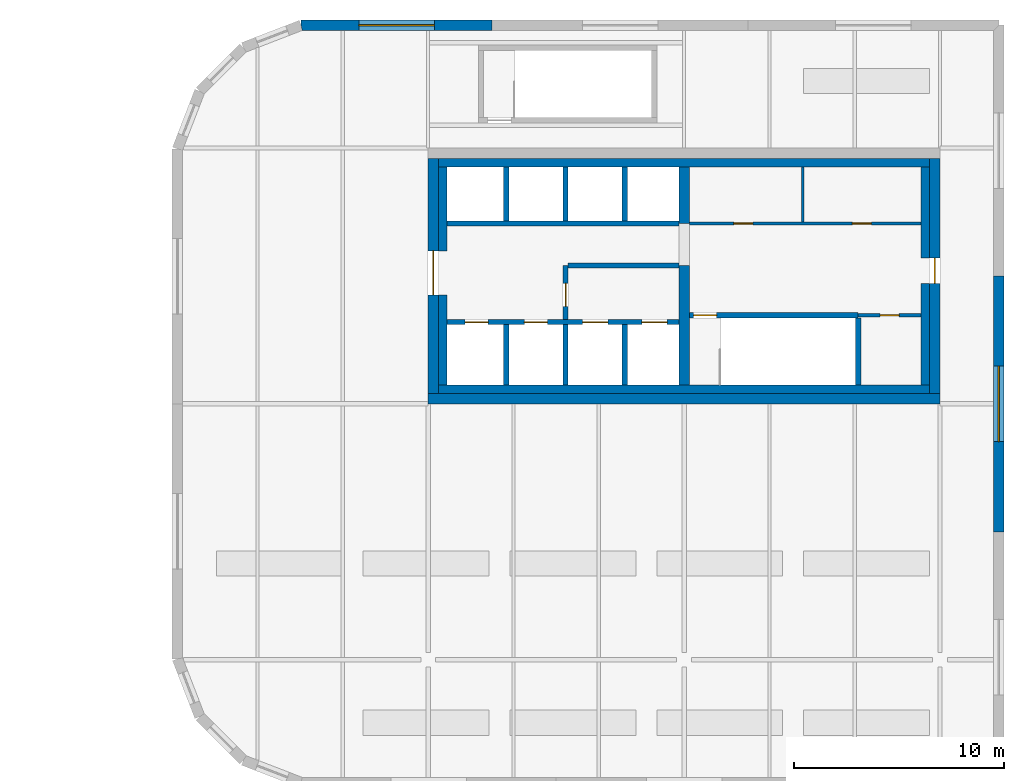
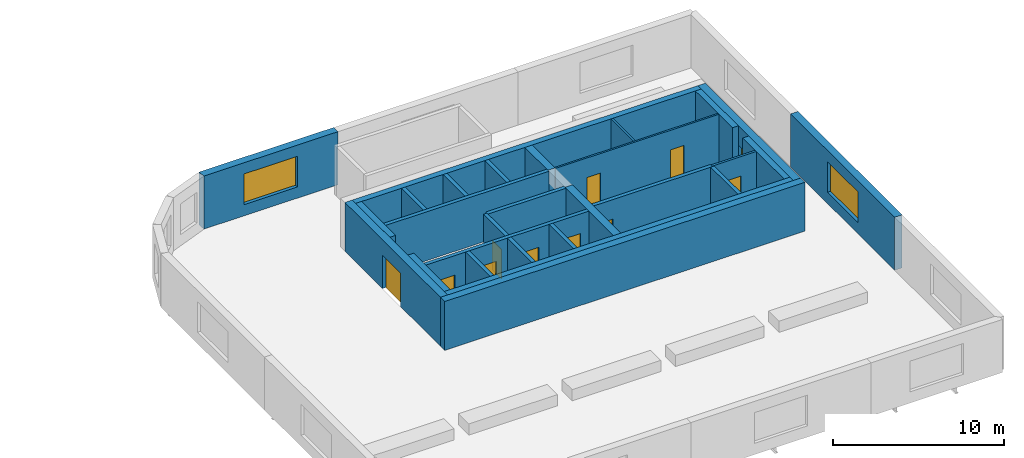
# One storey, part 12 of 17: 28 walls, 11 doors, 2 windows, 13 openings.
"""IFC4 building model written with IfcOpenShell, lengths in metres."""

from ifc_helpers import new_model, si_unit, direction, frame, frame_2d, origin, place, context, subcontext, project, spatial, polyline, rectangle, outline, extrude, faceted_brep, source, transform, mapped, material, layer, layer_set, type_object, element, fill, save


model = new_model("IFC4")

# Units and contexts
model_context = context("Model", 3, precision=1e-05, world=origin(), true_north=direction((0.0, 1.0)))
body_context = subcontext(model_context, "Body", "Model", "MODEL_VIEW")
ifc_project = project(units=[si_unit("LENGTHUNIT", "METRE"), si_unit("AREAUNIT", "SQUARE_METRE"), si_unit("VOLUMEUNIT", "CUBIC_METRE"), si_unit("PLANEANGLEUNIT", "RADIAN"), si_unit("MASSUNIT", "GRAM", prefix="KILO")], contexts=[model_context])

# Site, building, storey
site_placement = place(None, origin())
site = spatial("IfcSite", under=ifc_project, at=site_placement, CompositionType="ELEMENT")
building_placement = place(site_placement, origin())
building = spatial("IfcBuilding", under=site, at=building_placement, Name="Tessera Gate Towers", CompositionType="ELEMENT")
storey_placement = place(building_placement, frame((0.0, 0.0, 112.60009765625)))
storey = spatial("IfcBuildingStorey", under=building, at=storey_placement, Name="L27", CompositionType="ELEMENT", Elevation=112.60009765625)

# Wall, openings, doors
ifc_material_1 = material(Name="Concrete C40/50", Category="concrete")
ifc_layer_1 = layer(ifc_material_1, 0.25)
ifc_layer_set_1 = layer_set([ifc_layer_1], Name="CORE ENCLOSURE WALL 250")
wall_type_1 = type_object("IfcWallType", Name="CORE ENCLOSURE WALL 250", PredefinedType="SOLIDWALL", material=ifc_layer_set_1)
wall_1_placement = place(storey_placement, frame((98.5, 40.5, 0.0), z_axis=(0.0, 0.0, 1.0), x_axis=(1.0, 0.0, 0.0)))
wall_1 = element("IfcWall", 1, at=wall_1_placement, inside=storey, type_object=wall_type_1, Name="L27 shaft and stair enclosure wall", PredefinedType="SOLIDWALL", context=body_context, shape_type="SweptSolid", body=[
    extrude(rectangle(XDim=11.050048828125, YDim=0.25, at=frame_2d((5.52490234375, 0.0))), origin(), (0.0, 0.0, 1.0), 3.5),
])
shared_shape_1 = source(origin(), body_context, "Body", "SweptSolid", [
    extrude(rectangle(XDim=1.10009765625, YDim=2.10009765625, at=frame_2d((0.550048828125, 1.050048828125))), frame((0.0, 0.135009765625, 0.0), z_axis=(0.0, -1.0, 0.0), x_axis=(1.0, 0.0, 0.0)), (0.0, 0.0, 1.0), 0.27001953125),
])
opening_1_placement = place(wall_1_placement, frame((0.862548828125, 0.0, 0.0)))
opening_1 = element("IfcOpeningElement", 2, at=opening_1_placement, cuts=wall_1, Name="Opening LD-TL1", PredefinedType="OPENING", context=body_context, shape_type="MappedRepresentation", body=[
    mapped(shared_shape_1, transform((0.0, 0.0, 0.0), scale=1.0)),
])
opening_2_placement = place(wall_1_placement, frame((3.6875, 0.0, 0.0)))
opening_2 = element("IfcOpeningElement", 3, at=opening_2_placement, cuts=wall_1, Name="Opening LD-TL2", PredefinedType="OPENING", context=body_context, shape_type="MappedRepresentation", body=[
    mapped(shared_shape_1, transform((0.0, 0.0, 0.0), scale=1.0)),
])
shared_shape_2 = source(origin(), body_context, "Body", "SweptSolid", [
    extrude(rectangle(XDim=1.199951171875, YDim=2.10009765625, at=frame_2d((0.60009765625, 1.050048828125))), frame((0.0, 0.135009765625, 0.0), z_axis=(0.0, -1.0, 0.0), x_axis=(1.0, 0.0, 0.0)), (0.0, 0.0, 1.0), 0.27001953125),
])
opening_3_placement = place(wall_1_placement, frame((6.46240234375, 0.0, 0.0)))
opening_3 = element("IfcOpeningElement", 4, at=opening_3_placement, cuts=wall_1, Name="Opening LD-FF3", PredefinedType="OPENING", context=body_context, shape_type="MappedRepresentation", body=[
    mapped(shared_shape_2, transform((0.0, 0.0, 0.0), scale=1.0)),
])
opening_4_placement = place(wall_1_placement, frame((9.28759765625, 0.0, 0.0)))
opening_4 = element("IfcOpeningElement", 5, at=opening_4_placement, cuts=wall_1, Name="Opening LD-FF4", PredefinedType="OPENING", context=body_context, shape_type="MappedRepresentation", body=[
    mapped(shared_shape_2, transform((0.0, 0.0, 0.0), scale=1.0)),
])
ifc_material_2 = material(Name="Stainless steel", Category="steel")
door_type_1 = type_object("IfcDoorType", Name="CORE DOOR LD1200 1200x2100", OperationType="DOUBLE_DOOR_SLIDING", PredefinedType="DOOR", material=ifc_material_2)
shared_shape_3 = source(origin(), body_context, "Body", "SweptSolid", [
    extrude(rectangle(XDim=1.199951171875, YDim=2.10009765625, at=frame_2d((0.60009765625, 1.050048828125))), frame((0.0, 0.02490234375, 0.0), z_axis=(0.0, -1.0, 0.0), x_axis=(1.0, 0.0, 0.0)), (0.0, 0.0, 1.0), 0.050048828125),
])
door_1_placement = place(opening_3_placement, origin())
door_1 = element("IfcDoor", 6, at=door_1_placement, inside=storey, type_object=door_type_1, Name="Landing door FF3 L27", OperationType="DOUBLE_DOOR_SLIDING", OverallHeight=2.10009765625, OverallWidth=1.199951171875, PredefinedType="DOOR", context=body_context, shape_type="MappedRepresentation", body=[
    mapped(shared_shape_3, transform((0.0, 0.0, 0.0), scale=1.0)),
])
fill(opening_3, door_1)
door_2_placement = place(opening_4_placement, origin())
door_2 = element("IfcDoor", 7, at=door_2_placement, inside=storey, type_object=door_type_1, Name="Landing door FF4 L27", OperationType="DOUBLE_DOOR_SLIDING", OverallHeight=2.10009765625, OverallWidth=1.199951171875, PredefinedType="DOOR", context=body_context, shape_type="MappedRepresentation", body=[
    mapped(shared_shape_3, transform((0.0, 0.0, 0.0), scale=1.0)),
])
fill(opening_4, door_2)
ifc_material_3 = material(Name="Stainless steel", Category="steel")
door_type_2 = type_object("IfcDoorType", Name="CORE DOOR LD 1100x2100", OperationType="DOUBLE_DOOR_SLIDING", PredefinedType="DOOR", material=ifc_material_3)
shared_shape_4 = source(origin(), body_context, "Body", "SweptSolid", [
    extrude(rectangle(XDim=1.10009765625, YDim=2.10009765625, at=frame_2d((0.550048828125, 1.050048828125))), frame((0.0, 0.02490234375, 0.0), z_axis=(0.0, -1.0, 0.0), x_axis=(1.0, 0.0, 0.0)), (0.0, 0.0, 1.0), 0.050048828125),
])
door_3_placement = place(opening_1_placement, origin())
door_3 = element("IfcDoor", 8, at=door_3_placement, inside=storey, type_object=door_type_2, Name="Landing door TL1 L27", OperationType="DOUBLE_DOOR_SLIDING", OverallHeight=2.10009765625, OverallWidth=1.10009765625, PredefinedType="DOOR", context=body_context, shape_type="MappedRepresentation", body=[
    mapped(shared_shape_4, transform((0.0, 0.0, 0.0), scale=1.0)),
])
fill(opening_1, door_3)
door_4_placement = place(opening_2_placement, origin())
door_4 = element("IfcDoor", 9, at=door_4_placement, inside=storey, type_object=door_type_2, Name="Landing door TL2 L27", OperationType="DOUBLE_DOOR_SLIDING", OverallHeight=2.10009765625, OverallWidth=1.10009765625, PredefinedType="DOOR", context=body_context, shape_type="MappedRepresentation", body=[
    mapped(shared_shape_4, transform((0.0, 0.0, 0.0), scale=1.0)),
])
fill(opening_2, door_4)

# Wall
wall_2_placement = place(storey_placement, frame((98.5, 45.199951171875, 0.0), z_axis=(0.0, 0.0, 1.0), x_axis=(1.0, 0.0, 0.0)))
element("IfcWall", 10, at=wall_2_placement, inside=storey, type_object=wall_type_1, Name="L27 shaft and stair enclosure wall", PredefinedType="SOLIDWALL", context=body_context, shape_type="SweptSolid", body=[
    extrude(rectangle(XDim=11.050048828125, YDim=0.25, at=frame_2d((5.52490234375, 0.0))), origin(), (0.0, 0.0, 1.0), 3.5),
])

# Wall, opening, door
wall_3_placement = place(storey_placement, frame((118.10009765625, 40.824951171875, 0.0), z_axis=(0.0, 0.0, 1.0), x_axis=(-1.0, 0.0, 0.0)))
wall_3 = element("IfcWall", 11, at=wall_3_placement, inside=storey, type_object=wall_type_1, Name="L27 shaft and stair enclosure wall", PredefinedType="SOLIDWALL", context=body_context, shape_type="SweptSolid", body=[
    extrude(rectangle(XDim=8.050048828125, YDim=0.25, at=frame_2d((4.02490234375, 0.0))), origin(), (0.0, 0.0, 1.0), 3.5),
])
opening_5_placement = place(wall_3_placement, frame((6.75, 0.0, 0.0)))
opening_5 = element("IfcOpeningElement", 12, at=opening_5_placement, cuts=wall_3, Name="Opening SD-ST6-1", PredefinedType="OPENING", context=body_context, shape_type="MappedRepresentation", body=[
    mapped(shared_shape_1, transform((0.0, 0.0, 0.0), scale=1.0)),
])
ifc_material_4 = material(Name="Hollow steel fire door", Category="steel")
door_type_3 = type_object("IfcDoorType", Name="CORE DOOR SD1100 1100x2100", OperationType="NOTDEFINED", PredefinedType="DOOR", material=ifc_material_4)
door_5_placement = place(opening_5_placement, origin())
door_5 = element("IfcDoor", 13, at=door_5_placement, inside=storey, type_object=door_type_3, Name="Stair door", OperationType="SINGLE_SWING_RIGHT", OverallHeight=2.10009765625, OverallWidth=1.10009765625, PredefinedType="DOOR", context=body_context, shape_type="MappedRepresentation", body=[
    mapped(shared_shape_4, transform((0.0, 0.0, 0.0), scale=1.0)),
])
fill(opening_5, door_5)

# Wall
wall_4_placement = place(storey_placement, frame((104.14990234375, 37.5, 0.0), z_axis=(0.0, 0.0, 1.0), x_axis=(0.0, 1.0, 0.0)))
element("IfcWall", 14, at=wall_4_placement, inside=storey, type_object=wall_type_1, Name="L27 shaft and stair enclosure wall", PredefinedType="SOLIDWALL", context=body_context, shape_type="SweptSolid", body=[
    extrude(rectangle(XDim=2.875, YDim=0.25, at=frame_2d((1.4375, 0.0))), origin(), (0.0, 0.0, 1.0), 3.5),
])

# Wall, opening, door
wall_5_placement = place(storey_placement, frame((104.14990234375, 43.199951171875, 0.0), z_axis=(0.0, 0.0, 1.0), x_axis=(0.0, -1.0, 0.0)))
wall_5 = element("IfcWall", 15, at=wall_5_placement, inside=storey, type_object=wall_type_1, Name="L27 shaft and stair enclosure wall", PredefinedType="SOLIDWALL", context=body_context, shape_type="SweptSolid", body=[
    extrude(rectangle(XDim=2.574951171875, YDim=0.25, at=frame_2d((1.28759765625, 0.0))), origin(), (0.0, 0.0, 1.0), 3.5),
])
opening_6_placement = place(wall_5_placement, frame((0.85009765625, 0.0, 0.0)))
opening_6 = element("IfcOpeningElement", 16, at=opening_6_placement, cuts=wall_5, Name="Opening FD-T2-14-03", PredefinedType="OPENING", context=body_context, shape_type="MappedRepresentation", body=[
    mapped(shared_shape_1, transform((0.0, 0.0, 0.0), scale=1.0)),
])
ifc_material_5 = material(Name="Hollow steel fire door", Category="steel")
door_type_4 = type_object("IfcDoorType", Name="CORE DOOR FD 1100x2100", OperationType="NOTDEFINED", PredefinedType="DOOR", material=ifc_material_5)
door_6_placement = place(opening_6_placement, origin())
door_6 = element("IfcDoor", 17, at=door_6_placement, inside=storey, type_object=door_type_4, Name="Fire-fighting lobby door", OperationType="SINGLE_SWING_RIGHT", OverallHeight=2.10009765625, OverallWidth=1.10009765625, PredefinedType="DOOR", context=body_context, shape_type="MappedRepresentation", body=[
    mapped(shared_shape_4, transform((0.0, 0.0, 0.0), scale=1.0)),
])
fill(opening_6, door_6)

# Walls
wall_6_placement = place(storey_placement, frame((104.27490234375, 43.199951171875, 0.0), z_axis=(0.0, 0.0, 1.0), x_axis=(1.0, 0.0, 0.0)))
element("IfcWall", 18, at=wall_6_placement, inside=storey, type_object=wall_type_1, Name="L27 shaft and stair enclosure wall", PredefinedType="SOLIDWALL", context=body_context, shape_type="SweptSolid", body=[
    extrude(rectangle(XDim=5.275146484375, YDim=0.25, at=frame_2d((2.6376953125, 0.0))), origin(), (0.0, 0.0, 1.0), 3.5),
])
wall_7_placement = place(storey_placement, frame((118.10009765625, 37.5, 0.0), z_axis=(0.0, 0.0, 1.0), x_axis=(0.0, 1.0, 0.0)))
element("IfcWall", 19, at=wall_7_placement, inside=storey, type_object=wall_type_1, Name="L27 shaft and stair enclosure wall", PredefinedType="SOLIDWALL", context=body_context, shape_type="SweptSolid", body=[
    extrude(rectangle(XDim=3.199951171875, YDim=0.25, at=frame_2d((1.60009765625, 0.0))), origin(), (0.0, 0.0, 1.0), 3.5),
])
for number, where, z_axis, x_axis, name in (
    (20, (101.324951171875, 37.5, 0.0), (0.0, 0.0, 1.0), (0.0, 1.0, 0.0), "L27 shaft and stair enclosure wall"),
    (21, (106.97509765625, 37.5, 0.0), (0.0, 0.0, 1.0), (0.0, 1.0, 0.0), "L27 shaft and stair enclosure wall"),
):
    element("IfcWall", number, at=place(storey_placement, frame(where, z_axis=z_axis, x_axis=x_axis)), inside=storey, type_object=wall_type_1, Name=name, PredefinedType="SOLIDWALL", context=body_context, shape_type="SweptSolid", body=[
        extrude(rectangle(XDim=2.875, YDim=0.25, at=frame_2d((1.4375, 0.0))), origin(), (0.0, 0.0, 1.0), 3.5),
    ])
for number, where, z_axis, x_axis, name in (
    (22, (101.324951171875, 45.324951171875, 0.0), (0.0, 0.0, 1.0), (0.0, 1.0, 0.0), "L27 shaft and stair enclosure wall"),
    (23, (104.14990234375, 45.324951171875, 0.0), (0.0, 0.0, 1.0), (0.0, 1.0, 0.0), "L27 shaft and stair enclosure wall"),
    (24, (106.97509765625, 45.324951171875, 0.0), (0.0, 0.0, 1.0), (0.0, 1.0, 0.0), "L27 shaft and stair enclosure wall"),
):
    element("IfcWall", number, at=place(storey_placement, frame(where, z_axis=z_axis, x_axis=x_axis)), inside=storey, type_object=wall_type_1, Name=name, PredefinedType="SOLIDWALL", context=body_context, shape_type="SweptSolid", body=[
        extrude(rectangle(XDim=2.574951171875, YDim=0.25, at=frame_2d((1.28759765625, 0.0))), origin(), (0.0, 0.0, 1.0), 3.5),
    ])

# Wall, openings, doors
ifc_material_6 = material(Name="Gypsum board on steel studs", Category="steel")
ifc_layer_2 = layer(ifc_material_6, 0.1201171875)
ifc_layer_set_2 = layer_set([ifc_layer_2], Name="CORE PARTITION 120")
wall_type_2 = type_object("IfcWallType", Name="CORE PARTITION 120", PredefinedType="PARTITIONING", material=ifc_layer_set_2)
wall_8_placement = place(storey_placement, frame((110.050048828125, 45.199951171875, 0.0), z_axis=(0.0, 0.0, 1.0), x_axis=(1.0, 0.0, 0.0)))
wall_8 = element("IfcWall", 25, at=wall_8_placement, inside=storey, type_object=wall_type_2, Name="L27 core partition", PredefinedType="PARTITIONING", context=body_context, shape_type="SweptSolid", body=[
    extrude(rectangle(XDim=11.050048828125, YDim=0.1201171875, at=frame_2d((5.52490234375, 0.0))), origin(), (0.0, 0.0, 1.0), 3.5),
])
shared_shape_5 = source(origin(), body_context, "Body", "SweptSolid", [
    extrude(rectangle(XDim=0.89990234375, YDim=2.10009765625, at=frame_2d((0.449951171875, 1.050048828125))), frame((0.0, 0.070068359375, 0.0), z_axis=(0.0, -1.0, 0.0), x_axis=(1.0, 0.0, 0.0)), (0.0, 0.0, 1.0), 0.14013671875),
])
opening_7_placement = place(wall_8_placement, frame((2.125, 0.0, 0.0)))
opening_7 = element("IfcOpeningElement", 26, at=opening_7_placement, cuts=wall_8, Name="Opening RD-T2-14-04", PredefinedType="OPENING", context=body_context, shape_type="MappedRepresentation", body=[
    mapped(shared_shape_5, transform((0.0, 0.0, 0.0), scale=1.0)),
])
opening_8_placement = place(wall_8_placement, frame((7.77490234375, 0.0, 0.0)))
opening_8 = element("IfcOpeningElement", 27, at=opening_8_placement, cuts=wall_8, Name="Opening RD-T2-14-05", PredefinedType="OPENING", context=body_context, shape_type="MappedRepresentation", body=[
    mapped(shared_shape_5, transform((0.0, 0.0, 0.0), scale=1.0)),
])
ifc_material_7 = material(Name="Hollow steel fire door", Category="steel")
door_type_5 = type_object("IfcDoorType", Name="CORE DOOR RD 900x2100", OperationType="NOTDEFINED", PredefinedType="DOOR", material=ifc_material_7)
shared_shape_6 = source(origin(), body_context, "Body", "SweptSolid", [
    extrude(rectangle(XDim=0.89990234375, YDim=2.10009765625, at=frame_2d((0.449951171875, 1.050048828125))), frame((0.0, 0.02490234375, 0.0), z_axis=(0.0, -1.0, 0.0), x_axis=(1.0, 0.0, 0.0)), (0.0, 0.0, 1.0), 0.050048828125),
])
door_7_placement = place(opening_7_placement, origin())
door_7 = element("IfcDoor", 28, at=door_7_placement, inside=storey, type_object=door_type_5, Name="Core room door", OperationType="SINGLE_SWING_LEFT", OverallHeight=2.10009765625, OverallWidth=0.89990234375, PredefinedType="DOOR", context=body_context, shape_type="MappedRepresentation", body=[
    mapped(shared_shape_6, transform((0.0, 0.0, 0.0), scale=1.0)),
])
fill(opening_7, door_7)
door_8_placement = place(opening_8_placement, origin())
door_8 = element("IfcDoor", 29, at=door_8_placement, inside=storey, type_object=door_type_5, Name="Core room door", OperationType="SINGLE_SWING_RIGHT", OverallHeight=2.10009765625, OverallWidth=0.89990234375, PredefinedType="DOOR", context=body_context, shape_type="MappedRepresentation", body=[
    mapped(shared_shape_6, transform((0.0, 0.0, 0.0), scale=1.0)),
])
fill(opening_8, door_8)

# Walls
wall_9_placement = place(storey_placement, frame((115.449951171875, 45.260009765625, 0.0), z_axis=(0.0, 0.0, 1.0), x_axis=(0.0, 1.0, 0.0)))
element("IfcWall", 30, at=wall_9_placement, inside=storey, type_object=wall_type_2, Name="L27 core partition", PredefinedType="PARTITIONING", context=body_context, shape_type="SweptSolid", body=[
    extrude(rectangle(XDim=2.639892578125, YDim=0.1201171875, at=frame_2d((1.31982421875, 0.0))), origin(), (0.0, 0.0, 1.0), 3.5),
])
ifc_material_8 = material(Name="Concrete C50/60", Category="concrete")
ifc_layer_3 = layer(ifc_material_8, 0.5)
ifc_layer_set_3 = layer_set([ifc_layer_3], Name="CORE SHEAR WALL 500 C50/60")
wall_type_3 = type_object("IfcWallType", Name="CORE SHEAR WALL 500 C50/60", PredefinedType="SHEAR", material=ifc_layer_set_3)
wall_10_placement = place(storey_placement, frame((122.0, 36.85009765625, 0.0), z_axis=(0.0, 0.0, 1.0), x_axis=(-1.0, 0.0, 0.0)))
element("IfcWall", 31, at=wall_10_placement, inside=storey, type_object=wall_type_3, Name="Core wall S L27", PredefinedType="SHEAR", context=body_context, shape_type="SweptSolid", body=[
    extrude(rectangle(XDim=24.39990234375, YDim=0.5, at=frame_2d((12.199951171875, 0.0))), origin(), (0.0, 0.0, 1.0), 3.5),
])

# Wall, opening, door
wall_11_placement = place(storey_placement, frame((97.85009765625, 37.10009765625, 0.0), z_axis=(0.0, 0.0, 1.0), x_axis=(0.0, 1.0, 0.0)))
wall_11 = element("IfcWall", 32, at=wall_11_placement, inside=storey, type_object=wall_type_3, Name="Core wall W L27", PredefinedType="SHEAR", context=body_context, shape_type="SweptSolid", body=[
    extrude(rectangle(XDim=11.199951171875, YDim=0.5, at=frame_2d((5.60009765625, 0.0))), origin(), (0.0, 0.0, 1.0), 3.5),
])
shared_shape_7 = source(origin(), body_context, "Body", "SweptSolid", [
    extrude(rectangle(XDim=2.10009765625, YDim=2.39990234375, at=frame_2d((1.050048828125, 1.199951171875))), frame((0.0, 0.260009765625, 0.0), z_axis=(0.0, -1.0, 0.0), x_axis=(1.0, 0.0, 0.0)), (0.0, 0.0, 1.0), 0.52001953125),
])
opening_9_placement = place(wall_11_placement, frame((4.699951171875, 0.0, 0.0)))
opening_9 = element("IfcOpeningElement", 33, at=opening_9_placement, cuts=wall_11, Name="Opening DD-T2-14-01", PredefinedType="OPENING", context=body_context, shape_type="MappedRepresentation", body=[
    mapped(shared_shape_7, transform((0.0, 0.0, 0.0), scale=1.0)),
])
ifc_material_9 = material(Name="Hollow steel fire door", Category="steel")
door_type_6 = type_object("IfcDoorType", Name="CORE DOOR DD 2100x2400", OperationType="NOTDEFINED", PredefinedType="DOOR", material=ifc_material_9)
shared_shape_8 = source(origin(), body_context, "Body", "SweptSolid", [
    extrude(rectangle(XDim=2.10009765625, YDim=2.39990234375, at=frame_2d((1.050048828125, 1.199951171875))), frame((0.0, 0.02490234375, 0.0), z_axis=(0.0, -1.0, 0.0), x_axis=(1.0, 0.0, 0.0)), (0.0, 0.0, 1.0), 0.050048828125),
])
door_9_placement = place(opening_9_placement, origin())
door_9 = element("IfcDoor", 34, at=door_9_placement, inside=storey, type_object=door_type_6, Name="Core entrance door", OperationType="DOUBLE_DOOR_SINGLE_SWING", OverallHeight=2.39990234375, OverallWidth=2.10009765625, PredefinedType="DOOR", context=body_context, shape_type="MappedRepresentation", body=[
    mapped(shared_shape_8, transform((0.0, 0.0, 0.0), scale=1.0)),
])
fill(opening_9, door_9)

wall_12_placement = place(storey_placement, frame((121.75, 48.300048828125, 0.0), z_axis=(0.0, 0.0, 1.0), x_axis=(0.0, -1.0, 0.0)))
wall_12 = element("IfcWall", 35, at=wall_12_placement, inside=storey, type_object=wall_type_3, Name="Core wall E L27", PredefinedType="SHEAR", context=body_context, shape_type="SweptSolid", body=[
    extrude(rectangle(XDim=11.199951171875, YDim=0.5, at=frame_2d((5.60009765625, 0.0))), origin(), (0.0, 0.0, 1.0), 3.5),
])
shared_shape_9 = source(origin(), body_context, "Body", "SweptSolid", [
    extrude(rectangle(XDim=1.199951171875, YDim=2.10009765625, at=frame_2d((0.60009765625, 1.050048828125))), frame((0.0, 0.260009765625, 0.0), z_axis=(0.0, -1.0, 0.0), x_axis=(1.0, 0.0, 0.0)), (0.0, 0.0, 1.0), 0.52001953125),
])
opening_10_placement = place(wall_12_placement, frame((4.75, 0.0, 0.0)))
opening_10 = element("IfcOpeningElement", 36, at=opening_10_placement, cuts=wall_12, Name="Opening ED-T2-14-02", PredefinedType="OPENING", context=body_context, shape_type="MappedRepresentation", body=[
    mapped(shared_shape_9, transform((0.0, 0.0, 0.0), scale=1.0)),
])
ifc_material_10 = material(Name="Hollow steel fire door", Category="steel")
door_type_7 = type_object("IfcDoorType", Name="CORE DOOR ED 1200x2100", OperationType="NOTDEFINED", PredefinedType="DOOR", material=ifc_material_10)
door_10_placement = place(opening_10_placement, origin())
door_10 = element("IfcDoor", 37, at=door_10_placement, inside=storey, type_object=door_type_7, Name="Core exit door", OperationType="SINGLE_SWING_LEFT", OverallHeight=2.10009765625, OverallWidth=1.199951171875, PredefinedType="DOOR", context=body_context, shape_type="MappedRepresentation", body=[
    mapped(shared_shape_3, transform((0.0, 0.0, 0.0), scale=1.0)),
])
fill(opening_10, door_10)

# Walls
ifc_material_11 = material(Name="Concrete C50/60", Category="concrete")
ifc_layer_4 = layer(ifc_material_11, 0.5)
ifc_layer_set_4 = layer_set([ifc_layer_4], Name="CORE SPINE WALL 500 C50/60")
wall_type_4 = type_object("IfcWallType", Name="CORE SPINE WALL 500 C50/60", PredefinedType="SHEAR", material=ifc_layer_set_4)
wall_13_placement = place(storey_placement, frame((109.800048828125, 37.5, 0.0), z_axis=(0.0, 0.0, 1.0), x_axis=(0.0, 1.0, 0.0)))
element("IfcWall", 38, at=wall_13_placement, inside=storey, type_object=wall_type_4, Name="Core wall spine L27", PredefinedType="SHEAR", context=body_context, shape_type="SweptSolid", body=[
    extrude(rectangle(XDim=5.699951171875, YDim=0.5, at=frame_2d((2.85009765625, 0.0))), origin(), (0.0, 0.0, 1.0), 3.5),
])
wall_14_placement = place(storey_placement, frame((109.800048828125, 45.199951171875, 0.0), z_axis=(0.0, 0.0, 1.0), x_axis=(0.0, 1.0, 0.0)))
element("IfcWall", 39, at=wall_14_placement, inside=storey, type_object=wall_type_4, Name="Core wall spine L27", PredefinedType="SHEAR", context=body_context, shape_type="SweptSolid", body=[
    extrude(rectangle(XDim=2.699951171875, YDim=0.5, at=frame_2d((1.35009765625, 0.0))), origin(), (0.0, 0.0, 1.0), 3.5),
])
ifc_material_12 = material(Name="Concrete C50/60", Category="concrete")
ifc_layer_5 = layer(ifc_material_12, 0.39990234375)
ifc_layer_set_5 = layer_set([ifc_layer_5], Name="CORE WALL THICKENING 400")
wall_type_5 = type_object("IfcWallType", Name="CORE WALL THICKENING 400", PredefinedType="SOLIDWALL", material=ifc_layer_set_5)
for number, where, z_axis, x_axis, name in (
    (40, (98.10009765625, 37.300048828125, 0.0), (0.0, 0.0, 1.0), (1.0, 0.0, 0.0), "Core wall thickening S L27"),
    (41, (98.10009765625, 48.10009765625, 0.0), (0.0, 0.0, 1.0), (1.0, 0.0, 0.0), "Core wall thickening N L27"),
):
    element("IfcWall", number, at=place(storey_placement, frame(where, z_axis=z_axis, x_axis=x_axis)), inside=storey, type_object=wall_type_5, Name=name, PredefinedType="SOLIDWALL", context=body_context, shape_type="SweptSolid", body=[
        extrude(rectangle(XDim=23.39990234375, YDim=0.39990234375, at=frame_2d((11.699951171875, 0.0))), origin(), (0.0, 0.0, 1.0), 3.5),
    ])
wall_15_placement = place(storey_placement, frame((98.300048828125, 37.5, 0.0), z_axis=(0.0, 0.0, 1.0), x_axis=(0.0, 1.0, 0.0)))
element("IfcWall", 42, at=wall_15_placement, inside=storey, type_object=wall_type_5, Name="Core wall thickening W L27", PredefinedType="SOLIDWALL", context=body_context, shape_type="SweptSolid", body=[
    extrude(rectangle(XDim=4.300048828125, YDim=0.39990234375, at=frame_2d((2.14990234375, 0.0))), origin(), (0.0, 0.0, 1.0), 3.5),
])
wall_16_placement = place(storey_placement, frame((98.300048828125, 43.89990234375, 0.0), z_axis=(0.0, 0.0, 1.0), x_axis=(0.0, 1.0, 0.0)))
element("IfcWall", 43, at=wall_16_placement, inside=storey, type_object=wall_type_5, Name="Core wall thickening W L27", PredefinedType="SOLIDWALL", context=body_context, shape_type="SweptSolid", body=[
    extrude(rectangle(XDim=4.0, YDim=0.39990234375, at=frame_2d((2.0, 0.0))), origin(), (0.0, 0.0, 1.0), 3.5),
])
wall_17_placement = place(storey_placement, frame((121.300048828125, 37.5, 0.0), z_axis=(0.0, 0.0, 1.0), x_axis=(0.0, 1.0, 0.0)))
element("IfcWall", 44, at=wall_17_placement, inside=storey, type_object=wall_type_5, Name="Core wall thickening E L27", PredefinedType="SOLIDWALL", context=body_context, shape_type="SweptSolid", body=[
    extrude(rectangle(XDim=4.85009765625, YDim=0.39990234375, at=frame_2d((2.425048828125, 0.0))), origin(), (0.0, 0.0, 1.0), 3.5),
])
wall_18_placement = place(storey_placement, frame((121.300048828125, 43.550048828125, 0.0), z_axis=(0.0, 0.0, 1.0), x_axis=(0.0, 1.0, 0.0)))
element("IfcWall", 45, at=wall_18_placement, inside=storey, type_object=wall_type_5, Name="Core wall thickening E L27", PredefinedType="SOLIDWALL", context=body_context, shape_type="SweptSolid", body=[
    extrude(rectangle(XDim=4.349853515625, YDim=0.39990234375, at=frame_2d((2.1748046875, 0.0))), origin(), (0.0, 0.0, 1.0), 3.5),
])

# Wall, opening, door
ifc_material_13 = material(Name="Gypsum board on steel studs", Category="steel")
ifc_layer_6 = layer(ifc_material_13, 0.14990234375)
ifc_layer_set_6 = layer_set([ifc_layer_6], Name="SERVICE ROOM WALL 150")
wall_type_6 = type_object("IfcWallType", Name="SERVICE ROOM WALL 150", PredefinedType="PARTITIONING", material=ifc_layer_set_6)
wall_19_placement = place(storey_placement, frame((121.10009765625, 40.824951171875, 0.0), z_axis=(0.0, 0.0, 1.0), x_axis=(-1.0, 0.0, 0.0)))
wall_19 = element("IfcWall", 46, at=wall_19_placement, inside=storey, type_object=wall_type_6, Name="L27 service room wall", PredefinedType="PARTITIONING", context=body_context, shape_type="SweptSolid", body=[
    extrude(rectangle(XDim=3.0, YDim=0.14990234375, at=frame_2d((1.5, 0.0))), origin(), (0.0, 0.0, 1.0), 3.5),
])
shared_shape_10 = source(origin(), body_context, "Body", "SweptSolid", [
    extrude(rectangle(XDim=0.89990234375, YDim=2.10009765625, at=frame_2d((0.449951171875, 1.050048828125))), frame((0.0, 0.0849609375, 0.0), z_axis=(0.0, -1.0, 0.0), x_axis=(1.0, 0.0, 0.0)), (0.0, 0.0, 1.0), 0.169921875),
])
opening_11_placement = place(wall_19_placement, frame((1.050048828125, 0.0, 0.0)))
opening_11 = element("IfcOpeningElement", 47, at=opening_11_placement, cuts=wall_19, Name="Opening RD-T2-14-06", PredefinedType="OPENING", context=body_context, shape_type="MappedRepresentation", body=[
    mapped(shared_shape_10, transform((0.0, 0.0, 0.0), scale=1.0)),
])
door_11_placement = place(opening_11_placement, origin())
door_11 = element("IfcDoor", 48, at=door_11_placement, inside=storey, type_object=door_type_5, Name="Core room door", OperationType="SINGLE_SWING_RIGHT", OverallHeight=2.10009765625, OverallWidth=0.89990234375, PredefinedType="DOOR", context=body_context, shape_type="MappedRepresentation", body=[
    mapped(shared_shape_6, transform((0.0, 0.0, 0.0), scale=1.0)),
])
fill(opening_11, door_11)

# Wall, opening, window
ifc_material_14 = material(Name="Precast concrete C60/75 white", Category="concrete")
ifc_layer_7 = layer(ifc_material_14, 0.5)
ifc_layer_set_7 = layer_set([ifc_layer_7], Name="RB1 ring band panel")
wall_type_7 = type_object("IfcWallType", Name="RB1 ring band panel", PredefinedType="SOLIDWALL", material=ifc_layer_set_7)
shared_shape_11 = source(origin(), body_context, "Body", "SweptSolid", [
    extrude(outline(polyline([(0.0, 0.0), (12.199951171875, 0.0), (12.199951171875, 3.7998046875), (0.0, 3.7998046875), (0.0, 0.0)])), frame((0.0, 0.25, 0.0), z_axis=(0.0, -1.0, 0.0), x_axis=(1.0, 0.0, 0.0)), (0.0, 0.0, 1.0), 0.5),
])
wall_20_placement = place(storey_placement, frame((124.800048828125, 30.5, 0.0), z_axis=(0.0, 0.0, 1.0), x_axis=(0.0, 1.0, 0.0)))
wall_20 = element("IfcWall", 49, at=wall_20_placement, inside=storey, type_object=wall_type_7, Name="Ring band panel T2 RB1-0123", PredefinedType="SOLIDWALL", context=body_context, shape_type="MappedRepresentation", body=[
    mapped(shared_shape_11, transform((0.0, 0.0, 0.0), scale=1.0)),
])
shared_shape_12 = source(origin(), body_context, "Body", "SweptSolid", [
    extrude(outline(polyline([(4.300048828125, 0.7998046875), (7.89990234375, 0.7998046875), (7.89990234375, 3.0), (4.300048828125, 3.0), (4.300048828125, 0.7998046875)])), frame((0.0, 0.260009765625, 0.0), z_axis=(0.0, -1.0, 0.0), x_axis=(1.0, 0.0, 0.0)), (0.0, 0.0, 1.0), 0.52001953125),
])
opening_12_placement = place(wall_20_placement, origin())
opening_12 = element("IfcOpeningElement", 50, at=opening_12_placement, cuts=wall_20, Name="Opening T2-WN-LV1-0027", PredefinedType="OPENING", context=body_context, shape_type="MappedRepresentation", body=[
    mapped(shared_shape_12, transform((0.0, 0.0, 0.0), scale=1.0)),
])
ifc_material_15 = material(Name="Aluminium louvre", Category="aluminium")
ifc_layer_8 = layer(ifc_material_15, 0.06005859375)
ifc_layer_set_8 = layer_set([ifc_layer_8], Name="LV1 louvre")
window_type = type_object("IfcWindowType", Name="LV1 louvre", PartitioningType="USERDEFINED", PredefinedType="WINDOW", material=ifc_layer_set_8)
shared_shape_13 = source(origin(), body_context, "Body", "SweptSolid", [
    extrude(outline(polyline([(4.300048828125, 0.7998046875), (7.89990234375, 0.7998046875), (7.89990234375, 3.0), (4.300048828125, 3.0), (4.300048828125, 0.7998046875)])), frame((0.0, 0.030029296875, 0.0), z_axis=(0.0, -1.0, 0.0), x_axis=(1.0, 0.0, 0.0)), (0.0, 0.0, 1.0), 0.06005859375),
])
window_1_placement = place(opening_12_placement, origin())
window_1 = element("IfcWindow", 51, at=window_1_placement, inside=storey, type_object=window_type, Name="Louvre T2 WN-LV1-0027", OverallHeight=2.2001953125, OverallWidth=3.599853515625, PartitioningType="USERDEFINED", PredefinedType="WINDOW", context=body_context, shape_type="MappedRepresentation", body=[
    mapped(shared_shape_13, transform((0.0, 0.0, 0.0), scale=1.0)),
])
fill(opening_12, window_1)

shared_shape_14 = source(origin(), body_context, "Body", "Brep", [
    faceted_brep([(0.0, -0.25, 0.0), (9.103515625, -0.25, 0.0), (9.103515625, -0.25, 3.7998046875), (0.0, -0.25, 3.7998046875), (0.0, 0.25, 3.7998046875), (9.056884765625, 0.25, 3.7998046875), (9.056884765625, 0.25, 0.0), (0.0, 0.25, 0.0), (9.103515625, -0.000244140625, 0.0), (9.103515625, -0.000244140625, 3.7998046875)], [[[0, 1, 2, 3]], [[4, 5, 6, 7]], [[7, 6, 8, 1, 0]], [[9, 2, 1, 8]], [[5, 4, 3, 2, 9]], [[4, 7, 0, 3]], [[8, 6, 5, 9]]]),
])
wall_21_placement = place(storey_placement, frame((100.64990234375, 54.64990234375, 0.0), z_axis=(0.0, 0.0, 1.0), x_axis=(-1.0, 0.0, 0.0)))
wall_21 = element("IfcWall", 52, at=wall_21_placement, inside=storey, type_object=wall_type_7, Name="Ring band panel T2 RB1-0127", PredefinedType="SOLIDWALL", context=body_context, shape_type="MappedRepresentation", body=[
    mapped(shared_shape_14, transform((0.0, 0.0, 0.0), scale=1.0)),
])
shared_shape_15 = source(origin(), body_context, "Body", "SweptSolid", [
    extrude(outline(polyline([(2.751708984375, 0.7998046875), (6.351806640625, 0.7998046875), (6.351806640625, 3.0), (2.751708984375, 3.0), (2.751708984375, 0.7998046875)])), frame((0.0, 0.260009765625, 0.0), z_axis=(0.0, -1.0, 0.0), x_axis=(1.0, 0.0, 0.0)), (0.0, 0.0, 1.0), 0.52001953125),
])
opening_13_placement = place(wall_21_placement, origin())
opening_13 = element("IfcOpeningElement", 53, at=opening_13_placement, cuts=wall_21, Name="Opening T2-WN-LV1-0031", PredefinedType="OPENING", context=body_context, shape_type="MappedRepresentation", body=[
    mapped(shared_shape_15, transform((0.0, 0.0, 0.0), scale=1.0)),
])
shared_shape_16 = source(origin(), body_context, "Body", "SweptSolid", [
    extrude(outline(polyline([(2.751708984375, 0.7998046875), (6.351806640625, 0.7998046875), (6.351806640625, 3.0), (2.751708984375, 3.0), (2.751708984375, 0.7998046875)])), frame((0.0, 0.030029296875, 0.0), z_axis=(0.0, -1.0, 0.0), x_axis=(1.0, 0.0, 0.0)), (0.0, 0.0, 1.0), 0.06005859375),
])
window_2_placement = place(opening_13_placement, origin())
window_2 = element("IfcWindow", 54, at=window_2_placement, inside=storey, type_object=window_type, Name="Louvre T2 WN-LV1-0031", OverallHeight=2.2001953125, OverallWidth=3.60009765625, PartitioningType="USERDEFINED", PredefinedType="WINDOW", context=body_context, shape_type="MappedRepresentation", body=[
    mapped(shared_shape_16, transform((0.0, 0.0, 0.0), scale=1.0)),
])
fill(opening_13, window_2)

save(model, "model.ifc")
